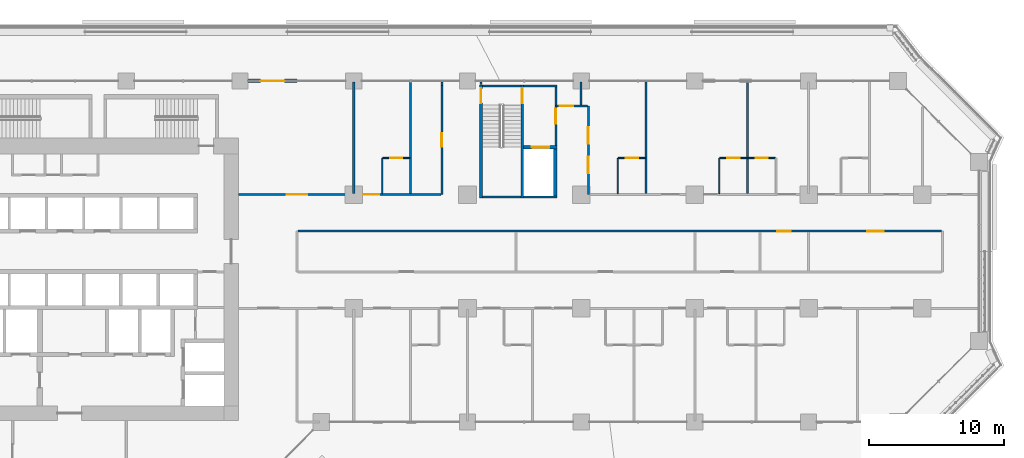
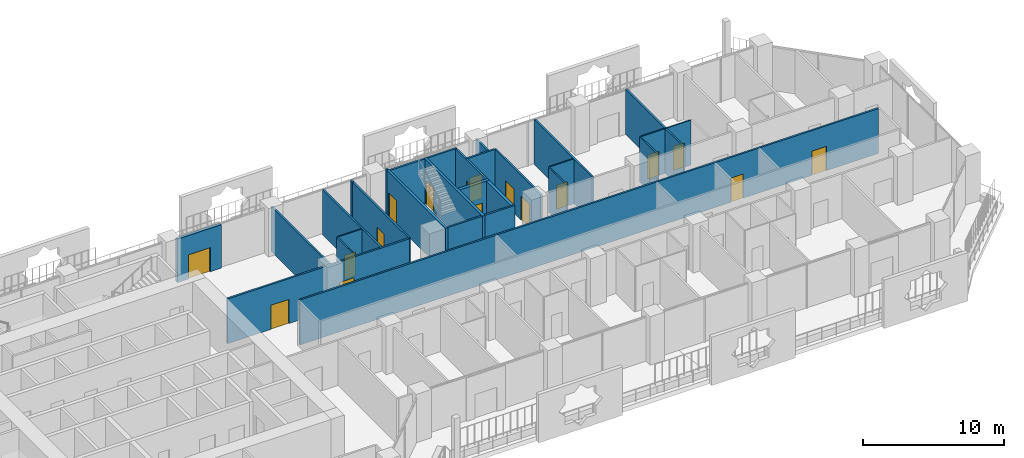
# One storey, part 18 of 28: 28 walls, 17 doors, 17 openings.
"""IFC4 building model written with IfcOpenShell, lengths in metres."""

from ifc_helpers import new_model, si_unit, direction, frame, frame_2d, origin, place, context, subcontext, project, spatial, rectangle, extrude, material, layer, layer_set, type_object, element, fill, save


model = new_model("IFC4")

# Units and contexts
model_context = context("Model", 3, precision=1e-05, world=origin(), true_north=direction((0.0, 1.0)))
body_context = subcontext(model_context, "Body", "Model", "MODEL_VIEW")
ifc_project = project(units=[si_unit("LENGTHUNIT", "METRE"), si_unit("AREAUNIT", "SQUARE_METRE"), si_unit("VOLUMEUNIT", "CUBIC_METRE"), si_unit("PLANEANGLEUNIT", "RADIAN"), si_unit("MASSUNIT", "GRAM", prefix="KILO")], contexts=[model_context])

# Site, building, storey
site_placement = place(None, origin())
site = spatial("IfcSite", under=ifc_project, at=site_placement, CompositionType="ELEMENT")
building_placement = place(site_placement, origin())
building = spatial("IfcBuilding", under=site, at=building_placement, Name="Kawkab Arch Medical Tower", CompositionType="ELEMENT")
storey_placement = place(building_placement, frame((0.0, 0.0, 77.0)))
storey = spatial("IfcBuildingStorey", under=building, at=storey_placement, Name="L17", CompositionType="ELEMENT", Elevation=77.0)

# Wall, opening, door
ifc_material_1 = material(Name="Gypsum board on steel studs", Category="steel")
ifc_layer_1 = layer(ifc_material_1, 0.14990234375)
ifc_layer_set_1 = layer_set([ifc_layer_1], Name="Gypsum board on steel studs")
wall_type_1 = type_object("IfcWallType", Name="Core room partition 150", PredefinedType="PARTITIONING", material=ifc_layer_set_1)
wall_1_placement = place(storey_placement, frame((48.52490234375, -4.77490234375, 0.0), z_axis=(0.0, 0.0, 1.0), x_axis=(0.0, 1.0, 0.0)))
wall_1 = element("IfcWall", 1, at=wall_1_placement, inside=storey, type_object=wall_type_1, Name="L17 core room partition", PredefinedType="PARTITIONING", context=body_context, shape_type="SweptSolid", body=[
    extrude(rectangle(XDim=4.324951171875, YDim=0.14990234375, at=frame_2d((2.16259765625, 0.0))), origin(), (0.0, 0.0, 1.0), 3.89990234375),
])
opening_1_placement = place(wall_1_placement, frame((1.625, 0.0, 0.0)))
opening_1 = element("IfcOpeningElement", 2, at=opening_1_placement, cuts=wall_1, Name="Opening FD", PredefinedType="OPENING", context=body_context, shape_type="SweptSolid", body=[
    extrude(rectangle(XDim=1.10009765625, YDim=2.10009765625, at=frame_2d((0.550048828125, 1.050048828125))), frame((0.0, 0.0849609375, 0.0), z_axis=(0.0, -1.0, 0.0), x_axis=(1.0, 0.0, 0.0)), (0.0, 0.0, 1.0), 0.169921875),
])
ifc_material_2 = material(Name="Hollow metal fire door leaf")
door_type_1 = type_object("IfcDoorType", Name="Firefighting lobby door 1100", OperationType="SINGLE_SWING_LEFT", PredefinedType="DOOR", material=ifc_material_2)
door_1_placement = place(opening_1_placement, origin())
door_1 = element("IfcDoor", 3, at=door_1_placement, inside=storey, type_object=door_type_1, Name="L17 Service lift lobby door SV1", OperationType="SINGLE_SWING_LEFT", OverallHeight=2.10009765625, OverallWidth=1.10009765625, PredefinedType="DOOR", context=body_context, shape_type="SweptSolid", body=[
    extrude(rectangle(XDim=1.10009765625, YDim=2.10009765625, at=frame_2d((0.550048828125, 1.050048828125))), frame((0.0, 0.02490234375, 0.0), z_axis=(0.0, -1.0, 0.0), x_axis=(1.0, 0.0, 0.0)), (0.0, 0.0, 1.0), 0.050048828125),
])
fill(opening_1, door_1)

ifc_material_3 = material(Name="Concrete C60/75", Category="concrete")
ifc_layer_2 = layer(ifc_material_3, 0.25)
ifc_layer_set_2 = layer_set([ifc_layer_2], Name="Concrete C60/75")
wall_type_2 = type_object("IfcWallType", Name="Core shear wall 250 C60/75", PredefinedType="SHEAR", material=ifc_layer_set_2)
wall_2_placement = place(storey_placement, frame((46.14990234375, -4.89990234375, 0.0), z_axis=(0.0, 0.0, 1.0), x_axis=(1.0, 0.0, 0.0)))
wall_2 = element("IfcWall", 4, at=wall_2_placement, inside=storey, type_object=wall_type_2, Name="L17 core shear wall", PredefinedType="SHEAR", context=body_context, shape_type="SweptSolid", body=[
    extrude(rectangle(XDim=2.4501953125, YDim=0.25, at=frame_2d((1.22509765625, 0.0))), origin(), (0.0, 0.0, 1.0), 3.89990234375),
])
opening_2_placement = place(wall_2_placement, frame((0.60009765625, 0.0, 0.0)))
opening_2 = element("IfcOpeningElement", 5, at=opening_2_placement, cuts=wall_2, Name="Opening LD2", PredefinedType="OPENING", context=body_context, shape_type="SweptSolid", body=[
    extrude(rectangle(XDim=1.300048828125, YDim=2.10009765625, at=frame_2d((0.64990234375, 1.050048828125))), frame((0.0, 0.135009765625, 0.0), z_axis=(0.0, -1.0, 0.0), x_axis=(1.0, 0.0, 0.0)), (0.0, 0.0, 1.0), 0.27001953125),
])
ifc_material_4 = material(Name="Stainless steel lift door leaf", Category="steel")
door_type_2 = type_object("IfcDoorType", Name="Lift landing door 1300", OperationType="DOUBLE_DOOR_SLIDING", PredefinedType="DOOR", material=ifc_material_4)
door_2_placement = place(opening_2_placement, origin())
door_2 = element("IfcDoor", 6, at=door_2_placement, inside=storey, type_object=door_type_2, Name="L17 Lift landing door SV1", OperationType="DOUBLE_DOOR_SLIDING", OverallHeight=2.10009765625, OverallWidth=1.300048828125, PredefinedType="DOOR", context=body_context, shape_type="SweptSolid", body=[
    extrude(rectangle(XDim=1.300048828125, YDim=2.10009765625, at=frame_2d((0.64990234375, 1.050048828125))), frame((0.0, 0.02490234375, 0.0), z_axis=(0.0, -1.0, 0.0), x_axis=(1.0, 0.0, 0.0)), (0.0, 0.0, 1.0), 0.050048828125),
])
fill(opening_2, door_2)

# Wall
wall_3_placement = place(storey_placement, frame((48.47509765625, -8.5, 0.0), z_axis=(0.0, 0.0, 1.0), x_axis=(0.0, 1.0, 0.0)))
element("IfcWall", 7, at=wall_3_placement, inside=storey, type_object=wall_type_2, Name="L17 core shear wall", PredefinedType="SHEAR", context=body_context, shape_type="SweptSolid", body=[
    extrude(rectangle(XDim=3.47509765625, YDim=0.25, at=frame_2d((1.737548828125, 0.0))), origin(), (0.0, 0.0, 1.0), 3.89990234375),
])

# Wall, opening, door
ifc_material_5 = material(Name="Bronze clad insulated wall panel")
ifc_layer_3 = layer(ifc_material_5, 0.25)
ifc_layer_set_3 = layer_set([ifc_layer_3], Name="Bronze clad insulated wall panel")
wall_type_3 = type_object("IfcWallType", Name="External wall bay 250", PredefinedType="SOLIDWALL", material=ifc_layer_set_3)
wall_4_placement = place(storey_placement, frame((29.39990234375, 0.0, 0.0), z_axis=(0.0, 0.0, 1.0), x_axis=(-1.0, 0.0, 0.0)))
wall_4 = element("IfcWall", 8, at=wall_4_placement, inside=storey, type_object=wall_type_3, Name="External wall bay L17.R11.6.2", PredefinedType="SOLIDWALL", context=body_context, shape_type="SweptSolid", body=[
    extrude(rectangle(XDim=3.599853515625, YDim=0.25, at=frame_2d((1.7998046875, 0.0))), origin(), (0.0, 0.0, 1.0), 3.780029296875),
])
opening_3_placement = place(wall_4_placement, frame((0.89990234375, 0.0, 0.0)))
opening_3 = element("IfcOpeningElement", 9, at=opening_3_placement, cuts=wall_4, Name="Opening W12-702", PredefinedType="OPENING", context=body_context, shape_type="SweptSolid", body=[
    extrude(rectangle(XDim=1.800048828125, YDim=2.10009765625, at=frame_2d((0.89990234375, 1.050048828125))), frame((0.0, 0.135009765625, 0.0), z_axis=(0.0, -1.0, 0.0), x_axis=(1.0, 0.0, 0.0)), (0.0, 0.0, 1.0), 0.27001953125),
])
ifc_material_6 = material(Name="Bronze anodised aluminium door with tinted glass", Category="aluminium")
door_type_3 = type_object("IfcDoorType", Name="Double external door 1800 x 2100", OperationType="DOUBLE_DOOR_SINGLE_SWING", PredefinedType="DOOR", material=ifc_material_6)
door_3_placement = place(opening_3_placement, origin())
door_3 = element("IfcDoor", 10, at=door_3_placement, inside=storey, type_object=door_type_3, Name="External door L17.R11.6.2", OperationType="DOUBLE_DOOR_SINGLE_SWING", OverallHeight=2.10009765625, OverallWidth=1.800048828125, PredefinedType="DOOR", context=body_context, shape_type="SweptSolid", body=[
    extrude(rectangle(XDim=1.800048828125, YDim=2.10009765625, at=frame_2d((0.89990234375, 1.050048828125))), frame((0.0, 0.02490234375, 0.0), z_axis=(0.0, -1.0, 0.0), x_axis=(1.0, 0.0, 0.0)), (0.0, 0.0, 1.0), 0.050048828125),
])
fill(opening_3, door_3)

ifc_material_7 = material(Name="Gypsum board partition on steel studs", Category="steel")
ifc_layer_4 = layer(ifc_material_7, 0.10009765625)
ifc_layer_set_4 = layer_set([ifc_layer_4], Name="Gypsum board partition on steel studs")
wall_type_4 = type_object("IfcWallType", Name="Partition 100", PredefinedType="PARTITIONING", material=ifc_layer_set_4)
wall_5_placement = place(storey_placement, frame((35.75, -5.699951171875, 0.0), z_axis=(0.0, 0.0, 1.0), x_axis=(1.0, 0.0, 0.0)))
wall_5 = element("IfcWall", 11, at=wall_5_placement, inside=storey, type_object=wall_type_4, Name="Partition 100 w015", PredefinedType="PARTITIONING", context=body_context, shape_type="SweptSolid", body=[
    extrude(rectangle(XDim=1.97509765625, YDim=0.10009765625, at=frame_2d((0.987548828125, 0.0))), origin(), (0.0, 0.0, 1.0), 3.89990234375),
])
opening_4_placement = place(wall_5_placement, frame((0.550048828125, 0.0, 0.0)))
opening_4 = element("IfcOpeningElement", 12, at=opening_4_placement, cuts=wall_5, Name="Opening W12-005", PredefinedType="OPENING", context=body_context, shape_type="SweptSolid", body=[
    extrude(rectangle(XDim=0.89990234375, YDim=2.10009765625, at=frame_2d((0.449951171875, 1.050048828125))), frame((0.0, 0.06005859375, 0.0), z_axis=(0.0, -1.0, 0.0), x_axis=(1.0, 0.0, 0.0)), (0.0, 0.0, 1.0), 0.1201171875),
])
ifc_material_8 = material(Name="Timber door leaf", Category="wood")
door_type_4 = type_object("IfcDoorType", Name="Single door 900x2100", OperationType="NOTDEFINED", PredefinedType="DOOR", material=ifc_material_8)
door_4_placement = place(opening_4_placement, origin())
door_4 = element("IfcDoor", 13, at=door_4_placement, inside=storey, type_object=door_type_4, Name="Door W12-005", OperationType="SINGLE_SWING_RIGHT", OverallHeight=2.10009765625, OverallWidth=0.89990234375, PredefinedType="DOOR", context=body_context, shape_type="SweptSolid", body=[
    extrude(rectangle(XDim=0.89990234375, YDim=2.10009765625, at=frame_2d((0.449951171875, 1.050048828125))), frame((0.0, 0.02490234375, 0.0), z_axis=(0.0, -1.0, 0.0), x_axis=(1.0, 0.0, 0.0)), (0.0, 0.0, 1.0), 0.050048828125),
])
fill(opening_4, door_4)

wall_6_placement = place(storey_placement, frame((53.14990234375, -5.699951171875, 0.0), z_axis=(0.0, 0.0, 1.0), x_axis=(1.0, 0.0, 0.0)))
wall_6 = element("IfcWall", 14, at=wall_6_placement, inside=storey, type_object=wall_type_4, Name="Partition 100 w016", PredefinedType="PARTITIONING", context=body_context, shape_type="SweptSolid", body=[
    extrude(rectangle(XDim=1.97509765625, YDim=0.10009765625, at=frame_2d((0.987548828125, 0.0))), origin(), (0.0, 0.0, 1.0), 3.89990234375),
])
opening_5_placement = place(wall_6_placement, frame((0.550048828125, 0.0, 0.0)))
opening_5 = element("IfcOpeningElement", 15, at=opening_5_placement, cuts=wall_6, Name="Opening W12-006", PredefinedType="OPENING", context=body_context, shape_type="SweptSolid", body=[
    extrude(rectangle(XDim=0.89990234375, YDim=2.10009765625, at=frame_2d((0.449951171875, 1.050048828125))), frame((0.0, 0.06005859375, 0.0), z_axis=(0.0, -1.0, 0.0), x_axis=(1.0, 0.0, 0.0)), (0.0, 0.0, 1.0), 0.1201171875),
])
door_5_placement = place(opening_5_placement, origin())
door_5 = element("IfcDoor", 16, at=door_5_placement, inside=storey, type_object=door_type_4, Name="Door W12-006", OperationType="SINGLE_SWING_LEFT", OverallHeight=2.10009765625, OverallWidth=0.89990234375, PredefinedType="DOOR", context=body_context, shape_type="SweptSolid", body=[
    extrude(rectangle(XDim=0.89990234375, YDim=2.10009765625, at=frame_2d((0.449951171875, 1.050048828125))), frame((0.0, 0.02490234375, 0.0), z_axis=(0.0, -1.0, 0.0), x_axis=(1.0, 0.0, 0.0)), (0.0, 0.0, 1.0), 0.050048828125),
])
fill(opening_5, door_5)

# Wall, openings, doors
wall_7_placement = place(storey_placement, frame((60.652099609375, -5.699951171875, 0.0), z_axis=(0.0, 0.0, 1.0), x_axis=(1.0, 0.0, 0.0)))
wall_7 = element("IfcWall", 17, at=wall_7_placement, inside=storey, type_object=wall_type_4, Name="Partition 100 w017", PredefinedType="PARTITIONING", context=body_context, shape_type="SweptSolid", body=[
    extrude(rectangle(XDim=4.097900390625, YDim=0.10009765625, at=frame_2d((2.048828125, 0.0))), origin(), (0.0, 0.0, 1.0), 3.89990234375),
])
opening_6_placement = place(wall_7_placement, frame((0.549072265625, 0.0, 0.0)))
opening_6 = element("IfcOpeningElement", 18, at=opening_6_placement, cuts=wall_7, Name="Opening W12-007", PredefinedType="OPENING", context=body_context, shape_type="SweptSolid", body=[
    extrude(rectangle(XDim=0.89990234375, YDim=2.10009765625, at=frame_2d((0.449951171875, 1.050048828125))), frame((0.0, 0.06005859375, 0.0), z_axis=(0.0, -1.0, 0.0), x_axis=(1.0, 0.0, 0.0)), (0.0, 0.0, 1.0), 0.1201171875),
])
opening_7_placement = place(wall_7_placement, frame((2.64794921875, 0.0, 0.0)))
opening_7 = element("IfcOpeningElement", 19, at=opening_7_placement, cuts=wall_7, Name="Opening W12-008", PredefinedType="OPENING", context=body_context, shape_type="SweptSolid", body=[
    extrude(rectangle(XDim=0.89990234375, YDim=2.10009765625, at=frame_2d((0.449951171875, 1.050048828125))), frame((0.0, 0.06005859375, 0.0), z_axis=(0.0, -1.0, 0.0), x_axis=(1.0, 0.0, 0.0)), (0.0, 0.0, 1.0), 0.1201171875),
])
door_6_placement = place(opening_6_placement, origin())
door_6 = element("IfcDoor", 20, at=door_6_placement, inside=storey, type_object=door_type_4, Name="Door W12-007", OperationType="SINGLE_SWING_LEFT", OverallHeight=2.10009765625, OverallWidth=0.89990234375, PredefinedType="DOOR", context=body_context, shape_type="SweptSolid", body=[
    extrude(rectangle(XDim=0.89990234375, YDim=2.10009765625, at=frame_2d((0.449951171875, 1.050048828125))), frame((0.0, 0.02490234375, 0.0), z_axis=(0.0, -1.0, 0.0), x_axis=(1.0, 0.0, 0.0)), (0.0, 0.0, 1.0), 0.050048828125),
])
fill(opening_6, door_6)
door_7_placement = place(opening_7_placement, origin())
door_7 = element("IfcDoor", 21, at=door_7_placement, inside=storey, type_object=door_type_4, Name="Door W12-008", OperationType="SINGLE_SWING_RIGHT", OverallHeight=2.10009765625, OverallWidth=0.89990234375, PredefinedType="DOOR", context=body_context, shape_type="SweptSolid", body=[
    extrude(rectangle(XDim=0.89990234375, YDim=2.10009765625, at=frame_2d((0.449951171875, 1.050048828125))), frame((0.0, 0.02490234375, 0.0), z_axis=(0.0, -1.0, 0.0), x_axis=(1.0, 0.0, 0.0)), (0.0, 0.0, 1.0), 0.050048828125),
])
fill(opening_7, door_7)

# Walls
for number, where, z_axis, x_axis, name in (
    (22, (35.699951171875, -8.324951171875, 0.0), (0.0, 0.0, 1.0), (0.0, 1.0, 0.0), "Partition 100 w027"),
    (23, (53.10009765625, -8.324951171875, 0.0), (0.0, 0.0, 1.0), (0.0, 1.0, 0.0), "Partition 100 w031"),
):
    element("IfcWall", number, at=place(storey_placement, frame(where, z_axis=z_axis, x_axis=x_axis)), inside=storey, type_object=wall_type_4, Name=name, PredefinedType="PARTITIONING", context=body_context, shape_type="SweptSolid", body=[
        extrude(rectangle(XDim=2.625, YDim=0.10009765625, at=frame_2d((1.3125, 0.0))), origin(), (0.0, 0.0, 1.0), 3.89990234375),
    ])
wall_8_placement = place(storey_placement, frame((60.60009765625, -8.324951171875, 0.0), z_axis=(0.0, 0.0, 1.0), x_axis=(0.0, 1.0, 0.0)))
element("IfcWall", 24, at=wall_8_placement, inside=storey, type_object=wall_type_4, Name="Partition 100 w033", PredefinedType="PARTITIONING", context=body_context, shape_type="SweptSolid", body=[
    extrude(rectangle(XDim=2.6240234375, YDim=0.10009765625, at=frame_2d((1.31201171875, 0.0))), origin(), (0.0, 0.0, 1.0), 3.89990234375),
])

# Wall, openings, doors
ifc_material_9 = material(Name="Gypsum board partition on steel studs, mineral wool", Category="steel")
ifc_layer_5 = layer(ifc_material_9, 0.14990234375)
ifc_layer_set_5 = layer_set([ifc_layer_5], Name="Gypsum board partition on steel studs, mineral wool")
wall_type_5 = type_object("IfcWallType", Name="Partition 150", PredefinedType="PARTITIONING", material=ifc_layer_set_5)
wall_9_placement = place(storey_placement, frame((29.47509765625, -11.10009765625, 0.0), z_axis=(0.0, 0.0, 1.0), x_axis=(1.0, 0.0, 0.0)))
wall_9 = element("IfcWall", 25, at=wall_9_placement, inside=storey, type_object=wall_type_5, Name="Partition 150 w064", PredefinedType="PARTITIONING", context=body_context, shape_type="SweptSolid", body=[
    extrude(rectangle(XDim=47.5498046875, YDim=0.14990234375, at=frame_2d((23.77490234375, 0.0))), origin(), (0.0, 0.0, 1.0), 3.89990234375),
])
opening_8_placement = place(wall_9_placement, frame((35.425048828125, 0.0, 0.0)))
opening_8 = element("IfcOpeningElement", 26, at=opening_8_placement, cuts=wall_9, Name="Opening W12-037", PredefinedType="OPENING", context=body_context, shape_type="SweptSolid", body=[
    extrude(rectangle(XDim=1.0, YDim=2.10009765625, at=frame_2d((0.5, 1.050048828125))), frame((0.0, 0.0849609375, 0.0), z_axis=(0.0, -1.0, 0.0), x_axis=(1.0, 0.0, 0.0)), (0.0, 0.0, 1.0), 0.169921875),
])
opening_9_placement = place(wall_9_placement, frame((42.074951171875, 0.0, 0.0)))
opening_9 = element("IfcOpeningElement", 27, at=opening_9_placement, cuts=wall_9, Name="Opening W12-053", PredefinedType="OPENING", context=body_context, shape_type="SweptSolid", body=[
    extrude(rectangle(XDim=1.199951171875, YDim=2.10009765625, at=frame_2d((0.60009765625, 1.050048828125))), frame((0.0, 0.0849609375, 0.0), z_axis=(0.0, -1.0, 0.0), x_axis=(1.0, 0.0, 0.0)), (0.0, 0.0, 1.0), 0.169921875),
])
ifc_material_10 = material(Name="Hollow metal door leaf")
door_type_5 = type_object("IfcDoorType", Name="Single door 1000x2100 FD30S", OperationType="NOTDEFINED", PredefinedType="DOOR", material=ifc_material_10)
door_8_placement = place(opening_8_placement, origin())
door_8 = element("IfcDoor", 28, at=door_8_placement, inside=storey, type_object=door_type_5, Name="Door W12-037", OperationType="SINGLE_SWING_LEFT", OverallHeight=2.10009765625, OverallWidth=1.0, PredefinedType="DOOR", context=body_context, shape_type="SweptSolid", body=[
    extrude(rectangle(XDim=1.0, YDim=2.10009765625, at=frame_2d((0.5, 1.050048828125))), frame((0.0, 0.02490234375, 0.0), z_axis=(0.0, -1.0, 0.0), x_axis=(1.0, 0.0, 0.0)), (0.0, 0.0, 1.0), 0.050048828125),
])
fill(opening_8, door_8)
ifc_material_11 = material(Name="Hollow metal door leaf")
door_type_6 = type_object("IfcDoorType", Name="Single door 1200x2100 FD30S", OperationType="NOTDEFINED", PredefinedType="DOOR", material=ifc_material_11)
door_9_placement = place(opening_9_placement, origin())
door_9 = element("IfcDoor", 29, at=door_9_placement, inside=storey, type_object=door_type_6, Name="Door W12-053", OperationType="SINGLE_SWING_LEFT", OverallHeight=2.10009765625, OverallWidth=1.199951171875, PredefinedType="DOOR", context=body_context, shape_type="SweptSolid", body=[
    extrude(rectangle(XDim=1.199951171875, YDim=2.10009765625, at=frame_2d((0.60009765625, 1.050048828125))), frame((0.0, 0.02490234375, 0.0), z_axis=(0.0, -1.0, 0.0), x_axis=(1.0, 0.0, 0.0)), (0.0, 0.0, 1.0), 0.050048828125),
])
fill(opening_9, door_9)

wall_10_placement = place(storey_placement, frame((25.10009765625, -8.39990234375, 0.0), z_axis=(0.0, 0.0, 1.0), x_axis=(1.0, 0.0, 0.0)))
wall_10 = element("IfcWall", 30, at=wall_10_placement, inside=storey, type_object=wall_type_5, Name="Partition 150 w066", PredefinedType="PARTITIONING", context=body_context, shape_type="SweptSolid", body=[
    extrude(rectangle(XDim=14.931884765625, YDim=0.14990234375, at=frame_2d((7.4658203125, 0.0))), origin(), (0.0, 0.0, 1.0), 3.89990234375),
])
opening_10_placement = place(wall_10_placement, frame((3.550048828125, 0.0, 0.0)))
opening_10 = element("IfcOpeningElement", 31, at=opening_10_placement, cuts=wall_10, Name="Opening W12-002", PredefinedType="OPENING", context=body_context, shape_type="SweptSolid", body=[
    extrude(rectangle(XDim=1.5, YDim=2.10009765625, at=frame_2d((0.75, 1.050048828125))), frame((0.0, 0.0849609375, 0.0), z_axis=(0.0, -1.0, 0.0), x_axis=(1.0, 0.0, 0.0)), (0.0, 0.0, 1.0), 0.169921875),
])
opening_11_placement = place(wall_10_placement, frame((9.199951171875, 0.0, 0.0)))
opening_11 = element("IfcOpeningElement", 32, at=opening_11_placement, cuts=wall_10, Name="Opening W12-047", PredefinedType="OPENING", context=body_context, shape_type="SweptSolid", body=[
    extrude(rectangle(XDim=1.199951171875, YDim=2.10009765625, at=frame_2d((0.60009765625, 1.050048828125))), frame((0.0, 0.0849609375, 0.0), z_axis=(0.0, -1.0, 0.0), x_axis=(1.0, 0.0, 0.0)), (0.0, 0.0, 1.0), 0.169921875),
])
ifc_material_12 = material(Name="Hollow metal door leaf")
door_type_7 = type_object("IfcDoorType", Name="Double door 1500x2100 FD30S", OperationType="NOTDEFINED", PredefinedType="DOOR", material=ifc_material_12)
door_10_placement = place(opening_10_placement, origin())
door_10 = element("IfcDoor", 33, at=door_10_placement, inside=storey, type_object=door_type_7, Name="Door W12-002", OperationType="DOUBLE_DOOR_SINGLE_SWING", OverallHeight=2.10009765625, OverallWidth=1.5, PredefinedType="DOOR", context=body_context, shape_type="SweptSolid", body=[
    extrude(rectangle(XDim=1.5, YDim=2.10009765625, at=frame_2d((0.75, 1.050048828125))), frame((0.0, 0.02490234375, 0.0), z_axis=(0.0, -1.0, 0.0), x_axis=(1.0, 0.0, 0.0)), (0.0, 0.0, 1.0), 0.050048828125),
])
fill(opening_10, door_10)
door_11_placement = place(opening_11_placement, origin())
door_11 = element("IfcDoor", 34, at=door_11_placement, inside=storey, type_object=door_type_6, Name="Door W12-047", OperationType="SINGLE_SWING_RIGHT", OverallHeight=2.10009765625, OverallWidth=1.199951171875, PredefinedType="DOOR", context=body_context, shape_type="SweptSolid", body=[
    extrude(rectangle(XDim=1.199951171875, YDim=2.10009765625, at=frame_2d((0.60009765625, 1.050048828125))), frame((0.0, 0.02490234375, 0.0), z_axis=(0.0, -1.0, 0.0), x_axis=(1.0, 0.0, 0.0)), (0.0, 0.0, 1.0), 0.050048828125),
])
fill(opening_11, door_11)

# Wall, opening, door
wall_11_placement = place(storey_placement, frame((48.550048828125, -1.85009765625, 0.0), z_axis=(0.0, 0.0, 1.0), x_axis=(1.0, 0.0, 0.0)))
wall_11 = element("IfcWall", 35, at=wall_11_placement, inside=storey, type_object=wall_type_5, Name="Partition 150 w069", PredefinedType="PARTITIONING", context=body_context, shape_type="SweptSolid", body=[
    extrude(rectangle(XDim=2.300048828125, YDim=0.14990234375, at=frame_2d((1.14990234375, 0.0))), origin(), (0.0, 0.0, 1.0), 3.89990234375),
])
opening_12_placement = place(wall_11_placement, frame((0.25, 0.0, 0.0)))
opening_12 = element("IfcOpeningElement", 36, at=opening_12_placement, cuts=wall_11, Name="Opening W12-033", PredefinedType="OPENING", context=body_context, shape_type="SweptSolid", body=[
    extrude(rectangle(XDim=1.0, YDim=2.10009765625, at=frame_2d((0.5, 1.050048828125))), frame((0.0, 0.0849609375, 0.0), z_axis=(0.0, -1.0, 0.0), x_axis=(1.0, 0.0, 0.0)), (0.0, 0.0, 1.0), 0.169921875),
])
door_12_placement = place(opening_12_placement, origin())
door_12 = element("IfcDoor", 37, at=door_12_placement, inside=storey, type_object=door_type_5, Name="Door W12-033", OperationType="SINGLE_SWING_LEFT", OverallHeight=2.10009765625, OverallWidth=1.0, PredefinedType="DOOR", context=body_context, shape_type="SweptSolid", body=[
    extrude(rectangle(XDim=1.0, YDim=2.10009765625, at=frame_2d((0.5, 1.050048828125))), frame((0.0, 0.02490234375, 0.0), z_axis=(0.0, -1.0, 0.0), x_axis=(1.0, 0.0, 0.0)), (0.0, 0.0, 1.0), 0.050048828125),
])
fill(opening_12, door_12)

# Walls
for number, where, z_axis, x_axis, name in (
    (38, (33.60009765625, -8.324951171875, 0.0), (0.0, 0.0, 1.0), (0.0, 1.0, 0.0), "Partition 150 w083"),
    (39, (37.800048828125, -8.324951171875, 0.0), (0.0, 0.0, 1.0), (0.0, 1.0, 0.0), "Partition 150 w085"),
):
    element("IfcWall", number, at=place(storey_placement, frame(where, z_axis=z_axis, x_axis=x_axis)), inside=storey, type_object=wall_type_5, Name=name, PredefinedType="PARTITIONING", context=body_context, shape_type="SweptSolid", body=[
        extrude(rectangle(XDim=8.244873046875, YDim=0.14990234375, at=frame_2d((4.12255859375, 0.0))), origin(), (0.0, 0.0, 1.0), 3.89990234375),
    ])

# Wall, opening, door
wall_12_placement = place(storey_placement, frame((40.10693359375, -8.39990234375, 0.0), z_axis=(0.0, 0.0, 1.0), x_axis=(0.0, 1.0, 0.0)))
wall_12 = element("IfcWall", 40, at=wall_12_placement, inside=storey, type_object=wall_type_5, Name="Partition 150 w086", PredefinedType="PARTITIONING", context=body_context, shape_type="SweptSolid", body=[
    extrude(rectangle(XDim=8.0478515625, YDim=0.14990234375, at=frame_2d((4.02392578125, 0.0))), origin(), (0.0, 0.0, 1.0), 3.89990234375),
])
opening_13_placement = place(wall_12_placement, frame((3.52392578125, 0.0, 0.0)))
opening_13 = element("IfcOpeningElement", 41, at=opening_13_placement, cuts=wall_12, Name="Opening W12-032", PredefinedType="OPENING", context=body_context, shape_type="SweptSolid", body=[
    extrude(rectangle(XDim=1.0, YDim=2.10009765625, at=frame_2d((0.5, 1.050048828125))), frame((0.0, 0.0849609375, 0.0), z_axis=(0.0, -1.0, 0.0), x_axis=(1.0, 0.0, 0.0)), (0.0, 0.0, 1.0), 0.169921875),
])
door_13_placement = place(opening_13_placement, origin())
door_13 = element("IfcDoor", 42, at=door_13_placement, inside=storey, type_object=door_type_5, Name="Door W12-032", OperationType="SINGLE_SWING_LEFT", OverallHeight=2.10009765625, OverallWidth=1.0, PredefinedType="DOOR", context=body_context, shape_type="SweptSolid", body=[
    extrude(rectangle(XDim=1.0, YDim=2.10009765625, at=frame_2d((0.5, 1.050048828125))), frame((0.0, 0.02490234375, 0.0), z_axis=(0.0, -1.0, 0.0), x_axis=(1.0, 0.0, 0.0)), (0.0, 0.0, 1.0), 0.050048828125),
])
fill(opening_13, door_13)

# Walls
wall_13_placement = place(storey_placement, frame((40.10693359375, -0.35009765625, 0.0), z_axis=(0.0, 0.0, 1.0), x_axis=(0.0, 1.0, 0.0)))
element("IfcWall", 43, at=wall_13_placement, inside=storey, type_object=wall_type_5, Name="Partition 150 w087", PredefinedType="PARTITIONING", context=body_context, shape_type="SweptSolid", body=[
    extrude(rectangle(XDim=0.27001953125, YDim=0.14990234375, at=frame_2d((0.135009765625, 0.0))), origin(), (0.0, 0.0, 1.0), 3.89990234375),
])
wall_14_placement = place(storey_placement, frame((43.0, -0.27001953125, 0.0), z_axis=(0.0, 0.0, 1.0), x_axis=(0.0, 1.0, 0.0)))
element("IfcWall", 44, at=wall_14_placement, inside=storey, type_object=wall_type_5, Name="Partition 150 w089", PredefinedType="PARTITIONING", context=body_context, shape_type="SweptSolid", body=[
    extrude(rectangle(XDim=0.18994140625, YDim=0.14990234375, at=frame_2d((0.094970703125, 0.0))), origin(), (0.0, 0.0, 1.0), 3.89990234375),
])
wall_15_placement = place(storey_placement, frame((50.39990234375, -1.77490234375, 0.0), z_axis=(0.0, 0.0, 1.0), x_axis=(0.0, 1.0, 0.0)))
element("IfcWall", 45, at=wall_15_placement, inside=storey, type_object=wall_type_5, Name="Partition 150 w092", PredefinedType="PARTITIONING", context=body_context, shape_type="SweptSolid", body=[
    extrude(rectangle(XDim=1.69482421875, YDim=0.14990234375, at=frame_2d((0.847412109375, 0.0))), origin(), (0.0, 0.0, 1.0), 3.89990234375),
])

# Wall, openings, doors
wall_16_placement = place(storey_placement, frame((50.925048828125, -8.39990234375, 0.0), z_axis=(0.0, 0.0, 1.0), x_axis=(0.0, 1.0, 0.0)))
wall_16 = element("IfcWall", 46, at=wall_16_placement, inside=storey, type_object=wall_type_5, Name="Partition 150 w093", PredefinedType="PARTITIONING", context=body_context, shape_type="SweptSolid", body=[
    extrude(rectangle(XDim=6.5498046875, YDim=0.14990234375, at=frame_2d((3.27490234375, 0.0))), origin(), (0.0, 0.0, 1.0), 3.89990234375),
])
opening_14_placement = place(wall_16_placement, frame((3.76708984375, 0.0, 0.0)))
opening_14 = element("IfcOpeningElement", 47, at=opening_14_placement, cuts=wall_16, Name="Opening W12-048", PredefinedType="OPENING", context=body_context, shape_type="SweptSolid", body=[
    extrude(rectangle(XDim=1.199951171875, YDim=2.10009765625, at=frame_2d((0.60009765625, 1.050048828125))), frame((0.0, 0.0849609375, 0.0), z_axis=(0.0, -1.0, 0.0), x_axis=(1.0, 0.0, 0.0)), (0.0, 0.0, 1.0), 0.169921875),
])
opening_15_placement = place(wall_16_placement, frame((1.5830078125, 0.0, 0.0)))
opening_15 = element("IfcOpeningElement", 48, at=opening_15_placement, cuts=wall_16, Name="Opening W12-049", PredefinedType="OPENING", context=body_context, shape_type="SweptSolid", body=[
    extrude(rectangle(XDim=1.199951171875, YDim=2.10009765625, at=frame_2d((0.60009765625, 1.050048828125))), frame((0.0, 0.0849609375, 0.0), z_axis=(0.0, -1.0, 0.0), x_axis=(1.0, 0.0, 0.0)), (0.0, 0.0, 1.0), 0.169921875),
])
door_14_placement = place(opening_14_placement, origin())
door_14 = element("IfcDoor", 49, at=door_14_placement, inside=storey, type_object=door_type_6, Name="Door W12-048", OperationType="SINGLE_SWING_LEFT", OverallHeight=2.10009765625, OverallWidth=1.199951171875, PredefinedType="DOOR", context=body_context, shape_type="SweptSolid", body=[
    extrude(rectangle(XDim=1.199951171875, YDim=2.10009765625, at=frame_2d((0.60009765625, 1.050048828125))), frame((0.0, 0.02490234375, 0.0), z_axis=(0.0, -1.0, 0.0), x_axis=(1.0, 0.0, 0.0)), (0.0, 0.0, 1.0), 0.050048828125),
])
fill(opening_14, door_14)
door_15_placement = place(opening_15_placement, origin())
door_15 = element("IfcDoor", 50, at=door_15_placement, inside=storey, type_object=door_type_6, Name="Door W12-049", OperationType="SINGLE_SWING_RIGHT", OverallHeight=2.10009765625, OverallWidth=1.199951171875, PredefinedType="DOOR", context=body_context, shape_type="SweptSolid", body=[
    extrude(rectangle(XDim=1.199951171875, YDim=2.10009765625, at=frame_2d((0.60009765625, 1.050048828125))), frame((0.0, 0.02490234375, 0.0), z_axis=(0.0, -1.0, 0.0), x_axis=(1.0, 0.0, 0.0)), (0.0, 0.0, 1.0), 0.050048828125),
])
fill(opening_15, door_15)

# Walls
for number, where, z_axis, x_axis, name in (
    (51, (55.199951171875, -8.324951171875, 0.0), (0.0, 0.0, 1.0), (0.0, 1.0, 0.0), "Partition 150 w095"),
    (52, (62.699951171875, -8.324951171875, 0.0), (0.0, 0.0, 1.0), (0.0, 1.0, 0.0), "Partition 150 w098"),
):
    element("IfcWall", number, at=place(storey_placement, frame(where, z_axis=z_axis, x_axis=x_axis)), inside=storey, type_object=wall_type_5, Name=name, PredefinedType="PARTITIONING", context=body_context, shape_type="SweptSolid", body=[
        extrude(rectangle(XDim=8.244873046875, YDim=0.14990234375, at=frame_2d((4.12255859375, 0.0))), origin(), (0.0, 0.0, 1.0), 3.89990234375),
    ])
ifc_material_13 = material(Name="Concrete C50/60", Category="concrete")
ifc_layer_6 = layer(ifc_material_13, 0.14990234375)
ifc_layer_set_6 = layer_set([ifc_layer_6], Name="Concrete C50/60")
wall_type_6 = type_object("IfcWallType", Name="Stair enclosure wall 150 C50/60", PredefinedType="SHEAR", material=ifc_layer_set_6)
wall_17_placement = place(storey_placement, frame((43.10009765625, -0.375, 0.0), z_axis=(0.0, 0.0, 1.0), x_axis=(1.0, 0.0, 0.0)))
element("IfcWall", 53, at=wall_17_placement, inside=storey, type_object=wall_type_6, Name="L17 stair enclosure wall", PredefinedType="SHEAR", context=body_context, shape_type="SweptSolid", body=[
    extrude(rectangle(XDim=2.849853515625, YDim=0.14990234375, at=frame_2d((1.4248046875, 0.0))), origin(), (0.0, 0.0, 1.0), 3.89990234375),
])
wall_18_placement = place(storey_placement, frame((46.14990234375, -0.375, 0.0), z_axis=(0.0, 0.0, 1.0), x_axis=(1.0, 0.0, 0.0)))
element("IfcWall", 54, at=wall_18_placement, inside=storey, type_object=wall_type_6, Name="L17 stair enclosure wall", PredefinedType="SHEAR", context=body_context, shape_type="SweptSolid", body=[
    extrude(rectangle(XDim=2.4501953125, YDim=0.14990234375, at=frame_2d((1.22509765625, 0.0))), origin(), (0.0, 0.0, 1.0), 3.89990234375),
])
wall_19_placement = place(storey_placement, frame((43.10009765625, -8.574951171875, 0.0), z_axis=(0.0, 0.0, 1.0), x_axis=(1.0, 0.0, 0.0)))
element("IfcWall", 55, at=wall_19_placement, inside=storey, type_object=wall_type_6, Name="L17 stair enclosure wall", PredefinedType="SHEAR", context=body_context, shape_type="SweptSolid", body=[
    extrude(rectangle(XDim=2.849853515625, YDim=0.14990234375, at=frame_2d((1.4248046875, 0.0))), origin(), (0.0, 0.0, 1.0), 3.89990234375),
])
wall_20_placement = place(storey_placement, frame((46.14990234375, -8.574951171875, 0.0), z_axis=(0.0, 0.0, 1.0), x_axis=(1.0, 0.0, 0.0)))
element("IfcWall", 56, at=wall_20_placement, inside=storey, type_object=wall_type_6, Name="L17 stair enclosure wall", PredefinedType="SHEAR", context=body_context, shape_type="SweptSolid", body=[
    extrude(rectangle(XDim=2.4501953125, YDim=0.14990234375, at=frame_2d((1.22509765625, 0.0))), origin(), (0.0, 0.0, 1.0), 3.89990234375),
])

# Wall, opening, door
ifc_material_14 = material(Name="Concrete C50/60", Category="concrete")
ifc_layer_7 = layer(ifc_material_14, 0.199951171875)
ifc_layer_set_7 = layer_set([ifc_layer_7], Name="Concrete C50/60")
wall_type_7 = type_object("IfcWallType", Name="Stair enclosure wall 200 C50/60", PredefinedType="SHEAR", material=ifc_layer_set_7)
wall_21_placement = place(storey_placement, frame((43.0, -8.64990234375, 0.0), z_axis=(0.0, 0.0, 1.0), x_axis=(0.0, 1.0, 0.0)))
wall_21 = element("IfcWall", 57, at=wall_21_placement, inside=storey, type_object=wall_type_7, Name="L17 stair enclosure wall", PredefinedType="SHEAR", context=body_context, shape_type="SweptSolid", body=[
    extrude(rectangle(XDim=8.349853515625, YDim=0.199951171875, at=frame_2d((4.1748046875, 0.0))), origin(), (0.0, 0.0, 1.0), 3.89990234375),
])
opening_16_placement = place(wall_21_placement, frame((7.0, 0.0, 0.0)))
opening_16 = element("IfcOpeningElement", 58, at=opening_16_placement, cuts=wall_21, Name="Opening SD", PredefinedType="OPENING", context=body_context, shape_type="SweptSolid", body=[
    extrude(rectangle(XDim=1.10009765625, YDim=2.10009765625, at=frame_2d((0.550048828125, 1.050048828125))), frame((0.0, 0.10986328125, 0.0), z_axis=(0.0, -1.0, 0.0), x_axis=(1.0, 0.0, 0.0)), (0.0, 0.0, 1.0), 0.219970703125),
])
ifc_material_15 = material(Name="Hollow metal fire door leaf")
door_type_8 = type_object("IfcDoorType", Name="Exit stair door 1100", OperationType="SINGLE_SWING_LEFT", PredefinedType="DOOR", material=ifc_material_15)
door_16_placement = place(opening_16_placement, frame((1.10009765625, 0.0, 0.0), z_axis=(0.0, 0.0, 1.0), x_axis=(-1.0, 0.0, 0.0)))
door_16 = element("IfcDoor", 59, at=door_16_placement, inside=storey, type_object=door_type_8, Name="L17 Exit stair ST5 door", OperationType="SINGLE_SWING_LEFT", OverallHeight=2.10009765625, OverallWidth=1.10009765625, PredefinedType="DOOR", context=body_context, shape_type="SweptSolid", body=[
    extrude(rectangle(XDim=1.10009765625, YDim=2.10009765625, at=frame_2d((0.550048828125, 1.050048828125))), frame((0.0, 0.02490234375, 0.0), z_axis=(0.0, -1.0, 0.0), x_axis=(1.0, 0.0, 0.0)), (0.0, 0.0, 1.0), 0.050048828125),
])
fill(opening_16, door_16)

wall_22_placement = place(storey_placement, frame((46.050048828125, -8.64990234375, 0.0), z_axis=(0.0, 0.0, 1.0), x_axis=(0.0, 1.0, 0.0)))
wall_22 = element("IfcWall", 60, at=wall_22_placement, inside=storey, type_object=wall_type_7, Name="L17 stair enclosure wall", PredefinedType="SHEAR", context=body_context, shape_type="SweptSolid", body=[
    extrude(rectangle(XDim=8.349853515625, YDim=0.199951171875, at=frame_2d((4.1748046875, 0.0))), origin(), (0.0, 0.0, 1.0), 3.89990234375),
])
opening_17_placement = place(wall_22_placement, frame((7.0, 0.0, 0.0)))
opening_17 = element("IfcOpeningElement", 61, at=opening_17_placement, cuts=wall_22, Name="Opening SD", PredefinedType="OPENING", context=body_context, shape_type="SweptSolid", body=[
    extrude(rectangle(XDim=1.10009765625, YDim=2.10009765625, at=frame_2d((0.550048828125, 1.050048828125))), frame((0.0, 0.10986328125, 0.0), z_axis=(0.0, -1.0, 0.0), x_axis=(1.0, 0.0, 0.0)), (0.0, 0.0, 1.0), 0.219970703125),
])
door_17_placement = place(opening_17_placement, origin())
door_17 = element("IfcDoor", 62, at=door_17_placement, inside=storey, type_object=door_type_8, Name="L17 Exit stair ST5 lobby door", OperationType="SINGLE_SWING_LEFT", OverallHeight=2.10009765625, OverallWidth=1.10009765625, PredefinedType="DOOR", context=body_context, shape_type="SweptSolid", body=[
    extrude(rectangle(XDim=1.10009765625, YDim=2.10009765625, at=frame_2d((0.550048828125, 1.050048828125))), frame((0.0, 0.02490234375, 0.0), z_axis=(0.0, -1.0, 0.0), x_axis=(1.0, 0.0, 0.0)), (0.0, 0.0, 1.0), 0.050048828125),
])
fill(opening_17, door_17)

save(model, "model.ifc")
